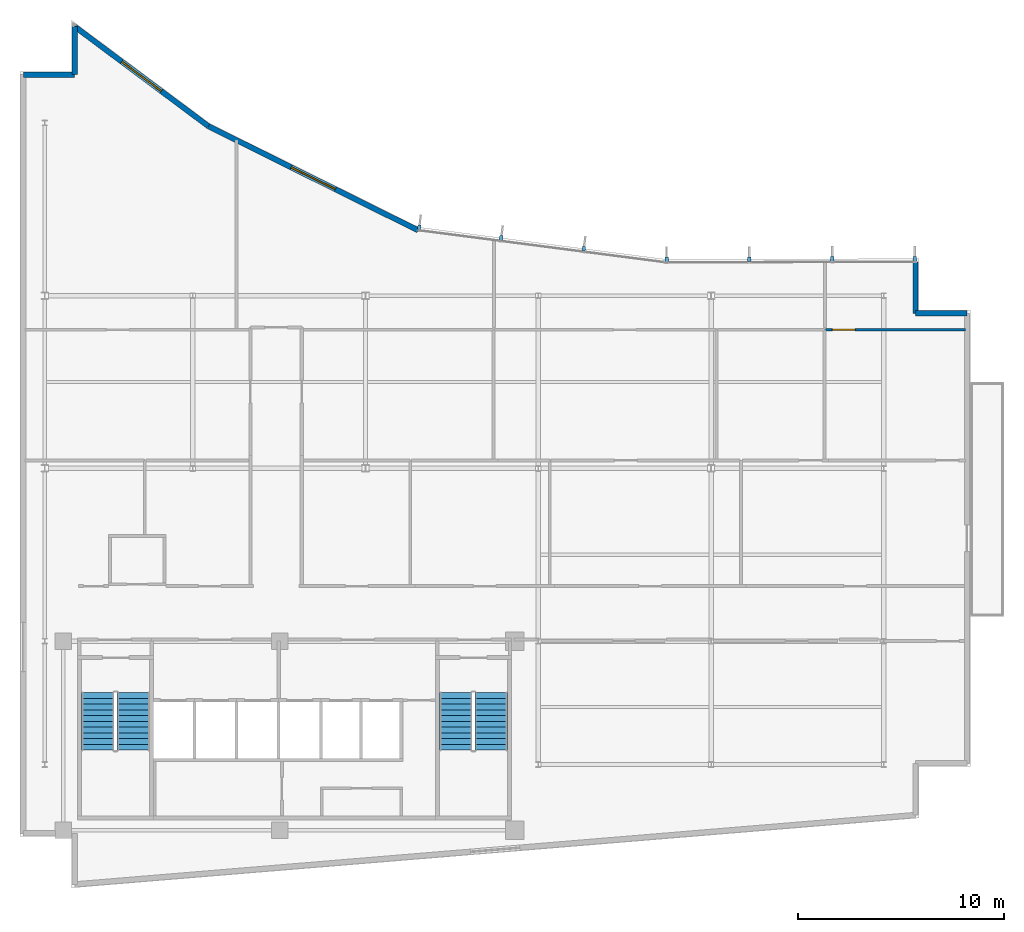
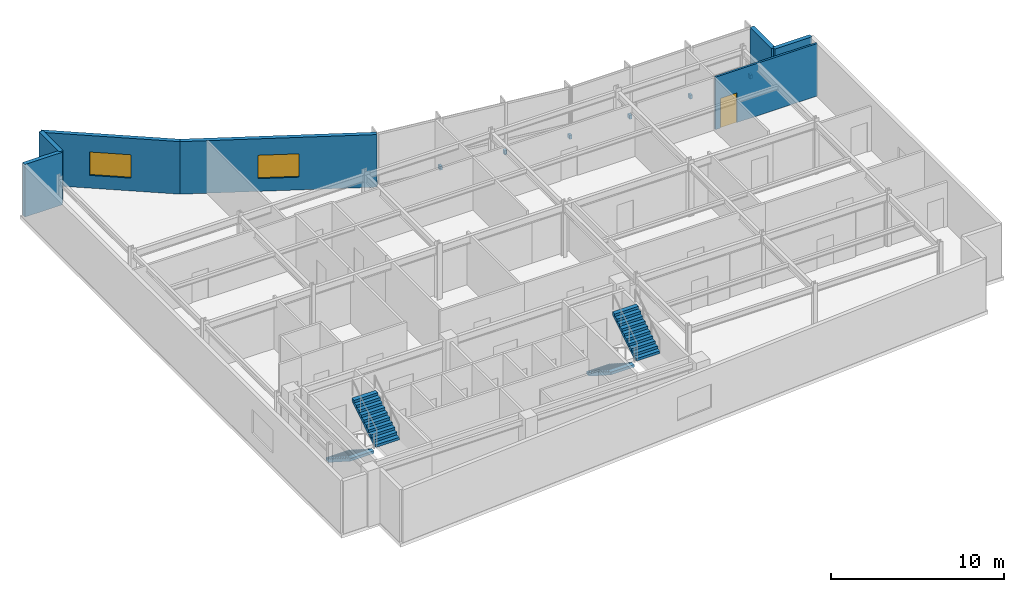
# One storey, part 12 of 15: 7 discrete accessories, 7 walls, 4 stair flights, 2 windows, 1 door, 3 openings, 2 elements without a shape of their own.
"""IFC4 building model written with IfcOpenShell, lengths in metres."""

from ifc_helpers import new_model, si_unit, direction, frame, frame_2d, origin, origin_2d, place, context, subcontext, project, spatial, polyline, rectangle, outline, extrude, material, layer, layer_set, type_object, element, fill, aggregate, save


model = new_model("IFC4")

# Units and contexts
model_context = context("Model", 3, precision=1e-05, world=origin(), true_north=direction((0.0, 1.0)))
body_context = subcontext(model_context, "Body", "Model", "MODEL_VIEW")
ifc_project = project(units=[si_unit("LENGTHUNIT", "METRE"), si_unit("AREAUNIT", "SQUARE_METRE"), si_unit("VOLUMEUNIT", "CUBIC_METRE"), si_unit("PLANEANGLEUNIT", "RADIAN"), si_unit("MASSUNIT", "GRAM", prefix="KILO")], contexts=[model_context])

# Site, building, storey
site_placement = place(None, origin())
site = spatial("IfcSite", under=ifc_project, at=site_placement, CompositionType="ELEMENT")
building_placement = place(site_placement, origin())
building = spatial("IfcBuilding", under=site, at=building_placement, Name="Varnakote Quay Hospital", CompositionType="ELEMENT")
storey_placement = place(building_placement, frame((0.0, 0.0, 244.699951171875)))
storey = spatial("IfcBuildingStorey", under=building, at=storey_placement, Name="L60", CompositionType="ELEMENT", Elevation=244.699951171875)

# Walls
ifc_material_1 = material(Name="Precast concrete N50 (f'c 50 MPa)", Category="concrete")
ifc_layer_1 = layer(ifc_material_1, 0.260009765625)
ifc_layer_set_1 = layer_set([ifc_layer_1], Name="Precast concrete N50 (f'c 50 MPa)")
wall_type_1 = type_object("IfcWallType", Name="WL-EXT-BRICK-260", PredefinedType="STANDARD", material=ifc_layer_set_1)
wall_1_placement = place(storey_placement, frame((46.0400390625, 27.93994140625, 0.0), z_axis=(0.0, 0.0, 1.0), x_axis=(-1.0, 0.0, 0.0)))
element("IfcWall", 1, at=wall_1_placement, inside=storey, type_object=wall_type_1, Name="L60 Brick-Faced Precast Exterior Wall", PredefinedType="STANDARD", context=body_context, shape_type="SweptSolid", body=[
    extrude(rectangle(XDim=2.5, YDim=0.260009765625, at=frame_2d((1.25, 0.0))), origin(), (0.0, 0.0, 1.0), 3.7099609375),
])
wall_2_placement = place(storey_placement, frame((43.5400390625, 27.93994140625, 0.0), z_axis=(0.0, 0.0, 1.0), x_axis=(0.0, 1.0, 0.0)))
element("IfcWall", 2, at=wall_2_placement, inside=storey, type_object=wall_type_1, Name="L60 Brick-Faced Precast Exterior Wall", PredefinedType="STANDARD", context=body_context, shape_type="SweptSolid", body=[
    extrude(rectangle(XDim=2.499755859375, YDim=0.260009765625, at=frame_2d((1.25, 0.0))), origin(), (0.0, 0.0, 1.0), 3.7099609375),
])

# Wall, opening, window
wall_3_placement = place(storey_placement, frame((19.356689453125, 31.972900390625, 0.0), z_axis=(0.0, 0.0, 1.0), x_axis=(-0.895624365378, 0.444811191565, 0.0)))
wall_3 = element("IfcWall", 3, at=wall_3_placement, inside=storey, type_object=wall_type_1, Name="L60 Brick-Faced Precast Exterior Wall", PredefinedType="STANDARD", context=body_context, shape_type="SweptSolid", body=[
    extrude(rectangle(XDim=11.389404296875, YDim=0.260009765625, at=frame_2d((5.69482421875, 0.0))), origin(), (0.0, 0.0, 1.0), 3.7099609375),
])
opening_1_placement = place(wall_3_placement, frame((4.494873046875, 0.0, 0.89990234375)))
opening_1 = element("IfcOpeningElement", 4, at=opening_1_placement, cuts=wall_3, Name="Opening WN-0243", PredefinedType="OPENING", context=body_context, shape_type="SweptSolid", body=[
    extrude(rectangle(XDim=2.39990234375, YDim=1.64990234375, at=frame_2d((1.199951171875, 0.824951171875))), frame((0.0, 0.139892578125, 0.0), z_axis=(0.0, -1.0, 0.0), x_axis=(1.0, 0.0, 0.0)), (0.0, 0.0, 1.0), 0.280029296875),
])
ifc_material_2 = material(Name="Double-glazed low-E solar glass", Category="glass")
window_type = type_object("IfcWindowType", Name="WIN-CLIN-2400x1650", PartitioningType="SINGLE_PANEL", PredefinedType="WINDOW", material=ifc_material_2)
window_1_placement = place(opening_1_placement, origin())
window_1 = element("IfcWindow", 5, at=window_1_placement, inside=storey, type_object=window_type, Name="L60 Solar-Control Clinical Window", OverallHeight=1.64990234375, OverallWidth=2.39990234375, PartitioningType="SINGLE_PANEL", PredefinedType="WINDOW", context=body_context, shape_type="SweptSolid", body=[
    extrude(rectangle(XDim=2.39990234375, YDim=1.64990234375, at=frame_2d((1.199951171875, 0.824951171875))), frame((0.0, 0.030029296875, 0.0), z_axis=(0.0, -1.0, 0.0), x_axis=(1.0, 0.0, 0.0)), (0.0, 0.0, 1.0), 0.06005859375),
])
fill(opening_1, window_1)

wall_4_placement = place(storey_placement, frame((9.156005859375, 37.0390625, 0.0), z_axis=(0.0, 0.0, 1.0), x_axis=(-0.801775528243, 0.597625302602, 0.0)))
wall_4 = element("IfcWall", 6, at=wall_4_placement, inside=storey, type_object=wall_type_1, Name="L60 Brick-Faced Precast Exterior Wall", PredefinedType="STANDARD", context=body_context, shape_type="SweptSolid", body=[
    extrude(rectangle(XDim=8.10205078125, YDim=0.260009765625, at=frame_2d((4.051025390625, 0.0))), origin(), (0.0, 0.0, 1.0), 3.7099609375),
])
opening_2_placement = place(wall_4_placement, frame((2.85107421875, 0.0, 0.89990234375)))
opening_2 = element("IfcOpeningElement", 7, at=opening_2_placement, cuts=wall_4, Name="Opening WN-0244", PredefinedType="OPENING", context=body_context, shape_type="SweptSolid", body=[
    extrude(rectangle(XDim=2.39990234375, YDim=1.64990234375, at=frame_2d((1.199951171875, 0.824951171875))), frame((0.0, 0.139892578125, 0.0), z_axis=(0.0, -1.0, 0.0), x_axis=(1.0, 0.0, 0.0)), (0.0, 0.0, 1.0), 0.280029296875),
])
window_2_placement = place(opening_2_placement, origin())
window_2 = element("IfcWindow", 8, at=window_2_placement, inside=storey, type_object=window_type, Name="L60 Solar-Control Clinical Window", OverallHeight=1.64990234375, OverallWidth=2.39990234375, PartitioningType="SINGLE_PANEL", PredefinedType="WINDOW", context=body_context, shape_type="SweptSolid", body=[
    extrude(rectangle(XDim=2.39990234375, YDim=1.64990234375, at=frame_2d((1.199951171875, 0.824951171875))), frame((0.0, 0.030029296875, 0.0), z_axis=(0.0, -1.0, 0.0), x_axis=(1.0, 0.0, 0.0)), (0.0, 0.0, 1.0), 0.06005859375),
])
fill(opening_2, window_2)

# Walls
wall_5_placement = place(storey_placement, frame((2.659912109375, 41.881103515625, 0.0), z_axis=(0.0, 0.0, 1.0), x_axis=(0.0, -1.0, 0.0)))
element("IfcWall", 9, at=wall_5_placement, inside=storey, type_object=wall_type_1, Name="L60 Brick-Faced Precast Exterior Wall", PredefinedType="STANDARD", context=body_context, shape_type="SweptSolid", body=[
    extrude(rectangle(XDim=2.341064453125, YDim=0.260009765625, at=frame_2d((1.17041015625, 0.0))), origin(), (0.0, 0.0, 1.0), 3.7099609375),
])
wall_6_placement = place(storey_placement, frame((2.659912109375, 39.5400390625, 0.0), z_axis=(0.0, 0.0, 1.0), x_axis=(-1.0, 0.0, 0.0)))
element("IfcWall", 10, at=wall_6_placement, inside=storey, type_object=wall_type_1, Name="L60 Brick-Faced Precast Exterior Wall", PredefinedType="STANDARD", context=body_context, shape_type="SweptSolid", body=[
    extrude(rectangle(XDim=2.5, YDim=0.260009765625, at=frame_2d((1.25, 0.0))), origin(), (0.0, 0.0, 1.0), 3.7099609375),
])

# Wall, opening, door
ifc_material_3 = material(Name="Smoke-proof clinical partition", Category="gypsum")
ifc_layer_2 = layer(ifc_material_3, 0.135009765625)
ifc_layer_set_2 = layer_set([ifc_layer_2], Name="Smoke-proof clinical partition")
wall_type_2 = type_object("IfcWallType", Name="WL-SMOKE-135", PredefinedType="PARTITIONING", material=ifc_layer_set_2)
wall_7_placement = place(storey_placement, frame((45.9599609375, 27.139892578125, 0.0), z_axis=(0.0, 0.0, 1.0), x_axis=(-1.0, 0.0, 0.0)))
wall_7 = element("IfcWall", 11, at=wall_7_placement, inside=storey, type_object=wall_type_2, Name="L60 Clinical Interior Partition", PredefinedType="PARTITIONING", context=body_context, shape_type="SweptSolid", body=[
    extrude(rectangle(XDim=6.79248046875, YDim=0.135009765625, at=frame_2d((3.396240234375, 0.0))), origin(), (0.0, 0.0, 1.0), 3.7099609375),
])
opening_3_placement = place(wall_7_placement, frame((5.360107421875, 0.0, 0.0)))
opening_3 = element("IfcOpeningElement", 12, at=opening_3_placement, cuts=wall_7, Name="Opening D-L60-MD14", PredefinedType="OPENING", context=body_context, shape_type="SweptSolid", body=[
    extrude(rectangle(XDim=1.10009765625, YDim=2.10009765625, at=frame_2d((0.550048828125, 1.050048828125))), frame((0.0, 0.077392578125, 0.0), z_axis=(0.0, -1.0, 0.0), x_axis=(1.0, 0.0, 0.0)), (0.0, 0.0, 1.0), 0.155029296875),
])
ifc_material_4 = material(Name="Acoustic timber clinical consult door", Category="wood")
door_type = type_object("IfcDoorType", Name="DR-CLIN-FD30S-1100x2100", OperationType="NOTDEFINED", PredefinedType="DOOR", material=ifc_material_4)
door_placement = place(opening_3_placement, origin())
door = element("IfcDoor", 13, at=door_placement, inside=storey, type_object=door_type, Name="L60 Rehabilitation Therapy Treatment Suite Door", OperationType="SINGLE_SWING_LEFT", OverallHeight=2.10009765625, OverallWidth=1.10009765625, PredefinedType="DOOR", context=body_context, shape_type="SweptSolid", body=[
    extrude(rectangle(XDim=1.10009765625, YDim=2.10009765625, at=frame_2d((0.550048828125, 1.050048828125))), frame((0.0, 0.02490234375, 0.0), z_axis=(0.0, -1.0, 0.0), x_axis=(1.0, 0.0, 0.0)), (0.0, 0.0, 1.0), 0.050048828125),
])
fill(opening_3, door)

# Stair, stair flights
ifc_material_5 = material(Name="Concrete N40 (f'c 40 MPa)", Category="concrete")
stair_type = type_object("IfcStairType", Name="STR-CORE-1580", PredefinedType="HALF_TURN_STAIR", material=ifc_material_5)
stair_1_placement = place(storey_placement, origin())
stair_1 = element("IfcStair", 14, at=stair_1_placement, inside=storey, type_object=stair_type, Name="L60 Fire-Isolated Exit Stair ST-01", PredefinedType="HALF_TURN_STAIR")
ifc_material_6 = material(Name="Concrete N40 (f'c 40 MPa)", Category="concrete")
ifc_layer_3 = layer(ifc_material_6, 0.159912109375)
ifc_layer_set_3 = layer_set([ifc_layer_3], Name="Concrete N40 (f'c 40 MPa)")
stair_flight_type = type_object("IfcStairFlightType", Name="FLT-CORE-1580", PredefinedType="STRAIGHT", material=ifc_layer_set_3)
stair_flight_1_placement = place(storey_placement, frame((3.7900390625, 9.5, 0.0), z_axis=(0.0, 0.0, 1.0), x_axis=(0.0, -1.0, 0.0)))
stair_flight_1 = element("IfcStairFlight", 15, at=stair_flight_1_placement, type_object=stair_flight_type, Name="ST-01 flight 1", NumberOfRisers=11, NumberOfTreads=10, PredefinedType="STRAIGHT", RiserHeight=0.179545455, TreadLength=0.28, context=body_context, shape_type="SweptSolid", body=[
    extrude(outline(polyline([(0.0, 0.0), (0.0, 0.179443359375), (0.280029296875, 0.179443359375), (0.280029296875, 0.359130859375), (0.56005859375, 0.359130859375), (0.56005859375, 0.53857421875), (0.840087890625, 0.53857421875), (0.840087890625, 0.71826171875), (1.1201171875, 0.71826171875), (1.1201171875, 0.897705078125), (1.39990234375, 0.897705078125), (1.39990234375, 1.077392578125), (1.679931640625, 1.077392578125), (1.679931640625, 1.2568359375), (1.9599609375, 1.2568359375), (1.9599609375, 1.436279296875), (2.239990234375, 1.436279296875), (2.239990234375, 1.615966796875), (2.52001953125, 1.615966796875), (2.52001953125, 1.79541015625), (2.800048828125, 1.79541015625), (2.800048828125, 1.97509765625), (2.800048828125, 1.60546875), (0.296142578125, 0.0), (0.0, 0.0)])), frame((0.0, 0.7900390625, 0.0), z_axis=(0.0, -1.0, 0.0), x_axis=(1.0, 0.0, 0.0)), (0.0, 0.0, 1.0), 1.580078125),
])
stair_flight_2_placement = place(storey_placement, frame((5.510009765625, 6.699951171875, 1.97509765625), z_axis=(0.0, 0.0, 1.0), x_axis=(0.0, 1.0, 0.0)))
stair_flight_2 = element("IfcStairFlight", 16, at=stair_flight_2_placement, type_object=stair_flight_type, Name="ST-01 flight 2", NumberOfRisers=11, NumberOfTreads=10, PredefinedType="STRAIGHT", RiserHeight=0.179545455, TreadLength=0.28, context=body_context, shape_type="SweptSolid", body=[
    extrude(outline(polyline([(0.0, 0.0), (0.0, 0.179443359375), (0.280029296875, 0.179443359375), (0.280029296875, 0.359130859375), (0.56005859375, 0.359130859375), (0.56005859375, 0.53857421875), (0.840087890625, 0.53857421875), (0.840087890625, 0.71826171875), (1.1201171875, 0.71826171875), (1.1201171875, 0.897705078125), (1.39990234375, 0.897705078125), (1.39990234375, 1.077392578125), (1.679931640625, 1.077392578125), (1.679931640625, 1.2568359375), (1.9599609375, 1.2568359375), (1.9599609375, 1.436279296875), (2.239990234375, 1.436279296875), (2.239990234375, 1.615966796875), (2.52001953125, 1.615966796875), (2.52001953125, 1.79541015625), (2.800048828125, 1.79541015625), (2.800048828125, 1.97509765625), (2.800048828125, 1.60546875), (0.296142578125, 0.0), (0.0, 0.0)])), frame((0.0, 0.7900390625, 0.0), z_axis=(0.0, -1.0, 0.0), x_axis=(1.0, 0.0, 0.0)), (0.0, 0.0, 1.0), 1.580078125),
])
aggregate(stair_1, [stair_flight_1, stair_flight_2])

stair_2_placement = place(storey_placement, origin())
stair_2 = element("IfcStair", 17, at=stair_2_placement, inside=storey, type_object=stair_type, Name="L60 Fire-Isolated Exit Stair ST-02", PredefinedType="HALF_TURN_STAIR")
stair_flight_3_placement = place(storey_placement, frame((21.18994140625, 9.5, 0.0), z_axis=(0.0, 0.0, 1.0), x_axis=(0.0, -1.0, 0.0)))
stair_flight_3 = element("IfcStairFlight", 18, at=stair_flight_3_placement, type_object=stair_flight_type, Name="ST-02 flight 1", NumberOfRisers=11, NumberOfTreads=10, PredefinedType="STRAIGHT", RiserHeight=0.179545455, TreadLength=0.28, context=body_context, shape_type="SweptSolid", body=[
    extrude(outline(polyline([(0.0, 0.0), (0.0, 0.179443359375), (0.280029296875, 0.179443359375), (0.280029296875, 0.359130859375), (0.56005859375, 0.359130859375), (0.56005859375, 0.53857421875), (0.840087890625, 0.53857421875), (0.840087890625, 0.71826171875), (1.1201171875, 0.71826171875), (1.1201171875, 0.897705078125), (1.39990234375, 0.897705078125), (1.39990234375, 1.077392578125), (1.679931640625, 1.077392578125), (1.679931640625, 1.2568359375), (1.9599609375, 1.2568359375), (1.9599609375, 1.436279296875), (2.239990234375, 1.436279296875), (2.239990234375, 1.615966796875), (2.52001953125, 1.615966796875), (2.52001953125, 1.79541015625), (2.800048828125, 1.79541015625), (2.800048828125, 1.97509765625), (2.800048828125, 1.60546875), (0.296142578125, 0.0), (0.0, 0.0)])), frame((0.0, 0.7900390625, 0.0), z_axis=(0.0, -1.0, 0.0), x_axis=(1.0, 0.0, 0.0)), (0.0, 0.0, 1.0), 1.580078125),
])
stair_flight_4_placement = place(storey_placement, frame((22.909912109375, 6.699951171875, 1.97509765625), z_axis=(0.0, 0.0, 1.0), x_axis=(0.0, 1.0, 0.0)))
stair_flight_4 = element("IfcStairFlight", 19, at=stair_flight_4_placement, type_object=stair_flight_type, Name="ST-02 flight 2", NumberOfRisers=11, NumberOfTreads=10, PredefinedType="STRAIGHT", RiserHeight=0.179545455, TreadLength=0.28, context=body_context, shape_type="SweptSolid", body=[
    extrude(outline(polyline([(0.0, 0.0), (0.0, 0.179443359375), (0.280029296875, 0.179443359375), (0.280029296875, 0.359130859375), (0.56005859375, 0.359130859375), (0.56005859375, 0.53857421875), (0.840087890625, 0.53857421875), (0.840087890625, 0.71826171875), (1.1201171875, 0.71826171875), (1.1201171875, 0.897705078125), (1.39990234375, 0.897705078125), (1.39990234375, 1.077392578125), (1.679931640625, 1.077392578125), (1.679931640625, 1.2568359375), (1.9599609375, 1.2568359375), (1.9599609375, 1.436279296875), (2.239990234375, 1.436279296875), (2.239990234375, 1.615966796875), (2.52001953125, 1.615966796875), (2.52001953125, 1.79541015625), (2.800048828125, 1.79541015625), (2.800048828125, 1.97509765625), (2.800048828125, 1.60546875), (0.296142578125, 0.0), (0.0, 0.0)])), frame((0.0, 0.7900390625, 0.0), z_axis=(0.0, -1.0, 0.0), x_axis=(1.0, 0.0, 0.0)), (0.0, 0.0, 1.0), 1.580078125),
])
aggregate(stair_2, [stair_flight_3, stair_flight_4])

# Discrete accessories
ifc_material_7 = material(Name="Anodised aluminium 6063-T6 Bronze", Category="aluminium")
discrete_accessory_type = type_object("IfcDiscreteAccessoryType", Name="ACC-FIN-BRACKET-180", PredefinedType="BRACKET", material=ifc_material_7)
for number, where, z_axis, x_axis, name in (
    (20, (43.507080078125, 30.589599609375, 0.0), (0.0, 0.0, 1.0), (-0.999996573056, -0.002617990887, 0.0), "L60 Curtain Wall Fin Fixing Bracket"),
    (21, (39.494873046875, 30.5791015625, 0.0), (0.0, 0.0, 1.0), (-0.999996573056, -0.002617990887, 0.0), "L60 Curtain Wall Fin Fixing Bracket"),
    (22, (35.4501953125, 30.568603515625, 0.0), (0.0, 0.0, 1.0), (-0.999996573056, -0.002617990887, 0.0), "L60 Curtain Wall Fin Fixing Bracket"),
    (23, (31.43798828125, 30.55810546875, 0.0), (0.0, 0.0, 1.0), (-0.999996573056, -0.002617990887, 0.0), "L60 Curtain Wall Fin Fixing Bracket"),
    (24, (27.408935546875, 31.078369140625, 0.0), (0.0, 0.0, 1.0), (-0.991671162383, 0.128795596578, 0.0), "L60 Curtain Wall Fin Fixing Bracket"),
    (25, (23.392578125, 31.60009765625, 0.0), (0.0, 0.0, 1.0), (-0.991671162383, 0.128795596578, 0.0), "L60 Curtain Wall Fin Fixing Bracket"),
    (26, (19.408203125, 32.117431640625, 0.0), (0.0, 0.0, 1.0), (-0.991671162383, 0.128795596578, 0.0), "L60 Curtain Wall Fin Fixing Bracket"),
):
    element("IfcDiscreteAccessory", number, at=place(storey_placement, frame(where, z_axis=z_axis, x_axis=x_axis)), inside=storey, type_object=discrete_accessory_type, Name=name, PredefinedType="BRACKET", context=body_context, shape_type="SweptSolid", body=[
        extrude(rectangle(XDim=0.159912109375, YDim=0.239990234375, at=origin_2d()), origin(), (0.0, 0.0, 1.0), 0.280029296875),
    ])

save(model, "model.ifc")
